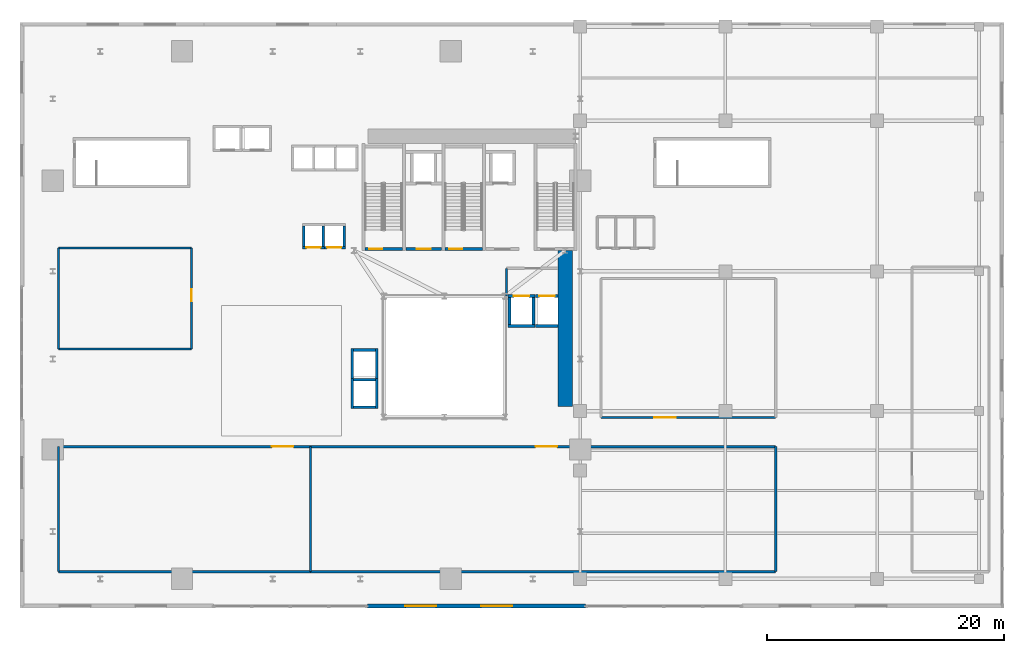
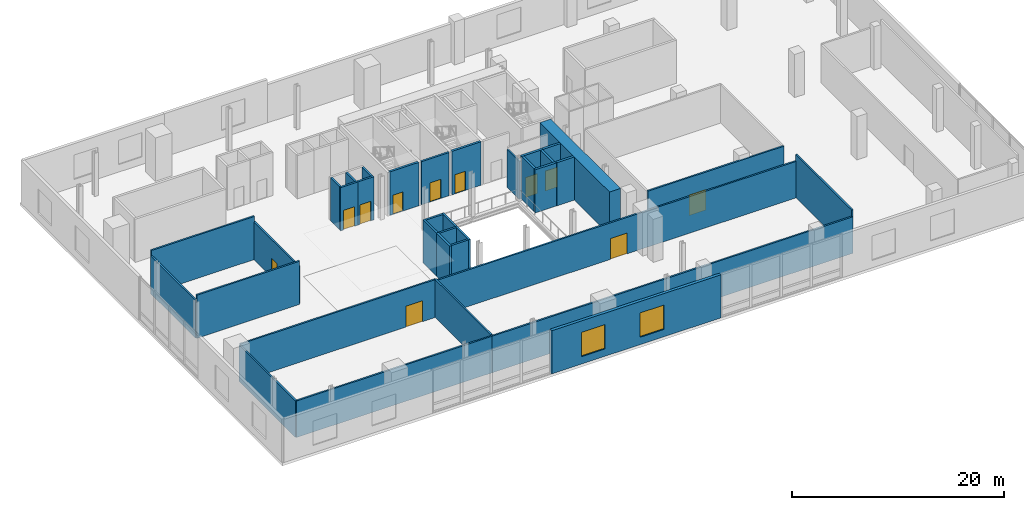
# One storey, part 7 of 13: 36 walls, 11 doors, 2 windows, 13 openings.
"""IFC4 building model written with IfcOpenShell, lengths in metres."""

from ifc_helpers import new_model, si_unit, direction, frame, frame_2d, origin, place, context, subcontext, project, spatial, rectangle, extrude, source, transform, mapped, material, layer, layer_set, type_object, element, fill, save


model = new_model("IFC4")

# Units and contexts
model_context = context("Model", 3, precision=1e-05, world=origin(), true_north=direction((0.0, 1.0)))
body_context = subcontext(model_context, "Body", "Model", "MODEL_VIEW")
ifc_project = project(units=[si_unit("LENGTHUNIT", "METRE"), si_unit("AREAUNIT", "SQUARE_METRE"), si_unit("VOLUMEUNIT", "CUBIC_METRE"), si_unit("PLANEANGLEUNIT", "RADIAN"), si_unit("MASSUNIT", "GRAM", prefix="KILO")], contexts=[model_context])

# Site, building, storey
site_placement = place(None, origin())
site = spatial("IfcSite", under=ifc_project, at=site_placement, CompositionType="ELEMENT")
building_placement = place(site_placement, origin())
building = spatial("IfcBuilding", under=site, at=building_placement, Name="Vardaveli Station Tower", CompositionType="ELEMENT")
storey_placement = place(building_placement, frame((0.0, 0.0, 22.39990234375)))
storey = spatial("IfcBuildingStorey", under=building, at=storey_placement, Name="L05", CompositionType="ELEMENT", Elevation=22.39990234375)

# Wall
ifc_material_1 = material(Name="Concrete C70/85", Category="concrete")
ifc_layer_1 = layer(ifc_material_1, 1.199951171875, Name="Concrete C70/85")
ifc_layer_set_1 = layer_set([ifc_layer_1], Name="Concrete C70/85")
wall_type_1 = type_object("IfcWallType", Name="WAL-CORE-1200", PredefinedType="SHEAR", material=ifc_layer_set_1)
shared_shape_1 = source(origin(), body_context, "Body", "SweptSolid", [
    extrude(rectangle(XDim=13.14990234375, YDim=1.199951171875, at=frame_2d((6.574951171875, 0.0))), origin(), (0.0, 0.0, 1.0), 4.960205078125),
])
wall_1_placement = place(storey_placement, frame((46.5, 17.5, 0.0), z_axis=(0.0, 0.0, 1.0), x_axis=(0.0, 1.0, 0.0)))
element("IfcWall", 1, at=wall_1_placement, inside=storey, type_object=wall_type_1, Name="SW-L05-EAST2", PredefinedType="SHEAR", context=body_context, shape_type="MappedRepresentation", body=[
    mapped(shared_shape_1, transform((0.0, 0.0, 0.0), scale=1.0)),
])

# Wall, openings, windows
ifc_material_2 = material(Name="Precast concrete C45/55", Category="concrete")
ifc_layer_2 = layer(ifc_material_2, 0.320068359375, Name="Precast concrete C45/55")
ifc_layer_set_2 = layer_set([ifc_layer_2], Name="Precast concrete C45/55")
wall_type_2 = type_object("IfcWallType", Name="WAL-EXT-STONE-320", PredefinedType="SOLIDWALL", material=ifc_layer_set_2)
shared_shape_2 = source(origin(), body_context, "Body", "SweptSolid", [
    extrude(rectangle(XDim=18.39990234375, YDim=0.320068359375, at=frame_2d((9.199951171875, 0.0))), origin(), (0.0, 0.0, 1.0), 4.960205078125),
])
wall_2_placement = place(storey_placement, frame((29.800048828125, 0.64990234375, 0.0), z_axis=(0.0, 0.0, 1.0), x_axis=(1.0, 0.0, 0.0)))
wall_2 = element("IfcWall", 2, at=wall_2_placement, inside=storey, type_object=wall_type_2, Name="EW-L05-S3", PredefinedType="SOLIDWALL", context=body_context, shape_type="MappedRepresentation", body=[
    mapped(shared_shape_2, transform((0.0, 0.0, 0.0), scale=1.0)),
])
shared_shape_3 = source(origin(), body_context, "Body", "SweptSolid", [
    extrude(rectangle(XDim=2.60009765625, YDim=2.800048828125, at=frame_2d((1.300048828125, 1.39990234375))), frame((0.0, 0.169921875, 0.0), z_axis=(0.0, -1.0, 0.0), x_axis=(1.0, 0.0, 0.0)), (0.0, 0.0, 1.0), 0.340087890625),
])
opening_1_placement = place(wall_2_placement, frame((3.199951171875, 0.0, 0.85009765625)))
opening_1 = element("IfcOpeningElement", 3, at=opening_1_placement, cuts=wall_2, Name="Opening W-02", PredefinedType="OPENING", context=body_context, shape_type="MappedRepresentation", body=[
    mapped(shared_shape_3, transform((0.0, 0.0, 0.0), scale=1.0)),
])
opening_2_placement = place(wall_2_placement, frame((9.60009765625, 0.0, 0.85009765625)))
opening_2 = element("IfcOpeningElement", 4, at=opening_2_placement, cuts=wall_2, Name="Opening W-02", PredefinedType="OPENING", context=body_context, shape_type="MappedRepresentation", body=[
    mapped(shared_shape_3, transform((0.0, 0.0, 0.0), scale=1.0)),
])
ifc_material_3 = material(Name="Low-E solar-control glass", Category="glass")
window_type = type_object("IfcWindowType", Name="WIN-POD-2600x2800", PartitioningType="SINGLE_PANEL", PredefinedType="WINDOW", material=ifc_material_3)
shared_shape_4 = source(origin(), body_context, "Body", "SweptSolid", [
    extrude(rectangle(XDim=2.60009765625, YDim=2.800048828125, at=frame_2d((1.300048828125, 1.39990234375))), frame((0.0, 0.030029296875, 0.0), z_axis=(0.0, -1.0, 0.0), x_axis=(1.0, 0.0, 0.0)), (0.0, 0.0, 1.0), 0.06005859375),
])
window_1_placement = place(opening_1_placement, origin())
window_1 = element("IfcWindow", 5, at=window_1_placement, inside=storey, type_object=window_type, Name="WN-L05-S3A", OverallHeight=2.800048828125, OverallWidth=2.60009765625, PartitioningType="SINGLE_PANEL", PredefinedType="WINDOW", context=body_context, shape_type="MappedRepresentation", body=[
    mapped(shared_shape_4, transform((0.0, 0.0, 0.0), scale=1.0)),
])
fill(opening_1, window_1)
window_2_placement = place(opening_2_placement, origin())
window_2 = element("IfcWindow", 6, at=window_2_placement, inside=storey, type_object=window_type, Name="WN-L05-S3B", OverallHeight=2.800048828125, OverallWidth=2.60009765625, PartitioningType="SINGLE_PANEL", PredefinedType="WINDOW", context=body_context, shape_type="MappedRepresentation", body=[
    mapped(shared_shape_4, transform((0.0, 0.0, 0.0), scale=1.0)),
])
fill(opening_2, window_2)

# Wall, opening, door
ifc_material_4 = material(Name="Concrete C40/50", Category="concrete")
ifc_layer_3 = layer(ifc_material_4, 0.25, Name="Concrete C40/50")
ifc_layer_set_3 = layer_set([ifc_layer_3], Name="Concrete C40/50")
wall_type_3 = type_object("IfcWallType", Name="WAL-SHAFT-250", PredefinedType="SOLIDWALL", material=ifc_layer_set_3)
shared_shape_5 = source(origin(), body_context, "Body", "SweptSolid", [
    extrude(rectangle(XDim=3.14990234375, YDim=0.25, at=frame_2d((1.574951171875, 0.0))), origin(), (0.0, 0.0, 1.0), 5.0),
])
wall_3_placement = place(storey_placement, frame((29.60009765625, 30.77490234375, 0.0), z_axis=(0.0, 0.0, 1.0), x_axis=(1.0, 0.0, 0.0)))
wall_3 = element("IfcWall", 7, at=wall_3_placement, inside=storey, type_object=wall_type_3, Name="W-L05-ST-1S", PredefinedType="SOLIDWALL", context=body_context, shape_type="MappedRepresentation", body=[
    mapped(shared_shape_5, transform((0.0, 0.0, 0.0), scale=1.0)),
])
shared_shape_6 = source(origin(), body_context, "Body", "SweptSolid", [
    extrude(rectangle(XDim=1.10009765625, YDim=2.199951171875, at=frame_2d((0.550048828125, 1.10009765625))), frame((0.0, 0.135009765625, 0.0), z_axis=(0.0, -1.0, 0.0), x_axis=(1.0, 0.0, 0.0)), (0.0, 0.0, 1.0), 0.27001953125),
])
opening_3_placement = place(wall_3_placement, frame((0.35009765625, 0.0, 0.0)))
opening_3 = element("IfcOpeningElement", 8, at=opening_3_placement, cuts=wall_3, Name="Opening D-04", PredefinedType="OPENING", context=body_context, shape_type="MappedRepresentation", body=[
    mapped(shared_shape_6, transform((0.0, 0.0, 0.0), scale=1.0)),
])
ifc_material_5 = material(Name="Steel smokeproof fire doorset", Category="steel")
door_type_1 = type_object("IfcDoorType", Name="DR-ST-1100x2200", OperationType="NOTDEFINED", PredefinedType="DOOR", material=ifc_material_5)
shared_shape_7 = source(origin(), body_context, "Body", "SweptSolid", [
    extrude(rectangle(XDim=1.10009765625, YDim=2.199951171875, at=frame_2d((0.550048828125, 1.10009765625))), frame((0.0, 0.02490234375, 0.0), z_axis=(0.0, -1.0, 0.0), x_axis=(1.0, 0.0, 0.0)), (0.0, 0.0, 1.0), 0.050048828125),
])
door_1_placement = place(opening_3_placement, origin())
door_1 = element("IfcDoor", 9, at=door_1_placement, inside=storey, type_object=door_type_1, Name="DST-1-L05", OperationType="SINGLE_SWING_LEFT", OverallHeight=2.199951171875, OverallWidth=1.10009765625, PredefinedType="DOOR", context=body_context, shape_type="MappedRepresentation", body=[
    mapped(shared_shape_7, transform((0.0, 0.0, 0.0), scale=1.0)),
])
fill(opening_3, door_1)

wall_4_placement = place(storey_placement, frame((36.35009765625, 30.77490234375, 0.0), z_axis=(0.0, 0.0, 1.0), x_axis=(1.0, 0.0, 0.0)))
wall_4 = element("IfcWall", 10, at=wall_4_placement, inside=storey, type_object=wall_type_3, Name="W-L05-ST-2S", PredefinedType="SOLIDWALL", context=body_context, shape_type="MappedRepresentation", body=[
    mapped(shared_shape_5, transform((0.0, 0.0, 0.0), scale=1.0)),
])
opening_4_placement = place(wall_4_placement, frame((0.35009765625, 0.0, 0.0)))
opening_4 = element("IfcOpeningElement", 11, at=opening_4_placement, cuts=wall_4, Name="Opening D-04", PredefinedType="OPENING", context=body_context, shape_type="MappedRepresentation", body=[
    mapped(shared_shape_6, transform((0.0, 0.0, 0.0), scale=1.0)),
])
door_2_placement = place(opening_4_placement, origin())
door_2 = element("IfcDoor", 12, at=door_2_placement, inside=storey, type_object=door_type_1, Name="DST-2-L05", OperationType="SINGLE_SWING_LEFT", OverallHeight=2.199951171875, OverallWidth=1.10009765625, PredefinedType="DOOR", context=body_context, shape_type="MappedRepresentation", body=[
    mapped(shared_shape_7, transform((0.0, 0.0, 0.0), scale=1.0)),
])
fill(opening_4, door_2)

ifc_layer_4 = layer(ifc_material_4, 0.219970703125, Name="Concrete C40/50")
ifc_layer_set_4 = layer_set([ifc_layer_4], Name="Concrete C40/50")
wall_type_4 = type_object("IfcWallType", Name="WAL-FFLOBBY-220", PredefinedType="SOLIDWALL", material=ifc_layer_set_4)
shared_shape_8 = source(origin(), body_context, "Body", "SweptSolid", [
    extrude(rectangle(XDim=3.0, YDim=0.219970703125, at=frame_2d((1.5, 0.0))), origin(), (0.0, 0.0, 1.0), 4.960205078125),
])
wall_5_placement = place(storey_placement, frame((33.050048828125, 30.780029296875, 0.0), z_axis=(0.0, 0.0, 1.0), x_axis=(1.0, 0.0, 0.0)))
wall_5 = element("IfcWall", 13, at=wall_5_placement, inside=storey, type_object=wall_type_4, Name="W-L05-FFL1S", PredefinedType="SOLIDWALL", context=body_context, shape_type="MappedRepresentation", body=[
    mapped(shared_shape_8, transform((0.0, 0.0, 0.0), scale=1.0)),
])
shared_shape_9 = source(origin(), body_context, "Body", "SweptSolid", [
    extrude(rectangle(XDim=1.199951171875, YDim=2.199951171875, at=frame_2d((0.60009765625, 1.10009765625))), frame((0.0, 0.1201171875, 0.0), z_axis=(0.0, -1.0, 0.0), x_axis=(1.0, 0.0, 0.0)), (0.0, 0.0, 1.0), 0.239990234375),
])
opening_5_placement = place(wall_5_placement, frame((0.89990234375, 0.0, 0.0)))
opening_5 = element("IfcOpeningElement", 14, at=opening_5_placement, cuts=wall_5, Name="Opening D-03", PredefinedType="OPENING", context=body_context, shape_type="MappedRepresentation", body=[
    mapped(shared_shape_9, transform((0.0, 0.0, 0.0), scale=1.0)),
])
door_type_2 = type_object("IfcDoorType", Name="DR-FFL-1200x2200", OperationType="NOTDEFINED", PredefinedType="DOOR", material=ifc_material_5)
shared_shape_10 = source(origin(), body_context, "Body", "SweptSolid", [
    extrude(rectangle(XDim=1.199951171875, YDim=2.199951171875, at=frame_2d((0.60009765625, 1.10009765625))), frame((0.0, 0.02490234375, 0.0), z_axis=(0.0, -1.0, 0.0), x_axis=(1.0, 0.0, 0.0)), (0.0, 0.0, 1.0), 0.050048828125),
])
door_3_placement = place(opening_5_placement, origin())
door_3 = element("IfcDoor", 15, at=door_3_placement, inside=storey, type_object=door_type_2, Name="DFFL1-L05", OperationType="SINGLE_SWING_LEFT", OverallHeight=2.199951171875, OverallWidth=1.199951171875, PredefinedType="DOOR", context=body_context, shape_type="MappedRepresentation", body=[
    mapped(shared_shape_10, transform((0.0, 0.0, 0.0), scale=1.0)),
])
fill(opening_5, door_3)

shared_shape_11 = source(origin(), body_context, "Body", "SweptSolid", [
    extrude(rectangle(XDim=1.89013671875, YDim=0.219970703125, at=frame_2d((0.945068359375, 0.0))), origin(), (0.0, 0.0, 1.0), 4.960205078125),
])
wall_6_placement = place(storey_placement, frame((24.304931640625, 30.889892578125, 0.0), z_axis=(0.0, 0.0, 1.0), x_axis=(1.0, 0.0, 0.0)))
wall_6 = element("IfcWall", 16, at=wall_6_placement, inside=storey, type_object=wall_type_4, Name="SHW-SHU-01-L05-S", PredefinedType="SOLIDWALL", context=body_context, shape_type="MappedRepresentation", body=[
    mapped(shared_shape_11, transform((0.0, 0.0, 0.0), scale=1.0)),
])
shared_shape_12 = source(origin(), body_context, "Body", "SweptSolid", [
    extrude(rectangle(XDim=1.199951171875, YDim=2.25, at=frame_2d((0.60009765625, 1.125))), frame((0.0, 0.1201171875, 0.0), z_axis=(0.0, -1.0, 0.0), x_axis=(1.0, 0.0, 0.0)), (0.0, 0.0, 1.0), 0.239990234375),
])
opening_6_placement = place(wall_6_placement, frame((0.344970703125, 0.0, 0.0)))
opening_6 = element("IfcOpeningElement", 17, at=opening_6_placement, cuts=wall_6, Name="Opening LD-02", PredefinedType="OPENING", context=body_context, shape_type="MappedRepresentation", body=[
    mapped(shared_shape_12, transform((0.0, 0.0, 0.0), scale=1.0)),
])
ifc_material_6 = material(Name="Brushed stainless steel", Category="steel")
door_type_3 = type_object("IfcDoorType", Name="DR-LD-1200x2250", OperationType="DOUBLE_DOOR_SLIDING", PredefinedType="DOOR", material=ifc_material_6)
shared_shape_13 = source(origin(), body_context, "Body", "SweptSolid", [
    extrude(rectangle(XDim=1.199951171875, YDim=2.25, at=frame_2d((0.60009765625, 1.125))), frame((0.0, 0.02490234375, 0.0), z_axis=(0.0, -1.0, 0.0), x_axis=(1.0, 0.0, 0.0)), (0.0, 0.0, 1.0), 0.050048828125),
])
door_4_placement = place(opening_6_placement, origin())
door_4 = element("IfcDoor", 18, at=door_4_placement, inside=storey, type_object=door_type_3, Name="LD-SHU-01-L05", OperationType="DOUBLE_DOOR_SLIDING", OverallHeight=2.25, OverallWidth=1.199951171875, PredefinedType="DOOR", context=body_context, shape_type="MappedRepresentation", body=[
    mapped(shared_shape_13, transform((0.0, 0.0, 0.0), scale=1.0)),
])
fill(opening_6, door_4)

wall_7_placement = place(storey_placement, frame((26.054931640625, 30.889892578125, 0.0), z_axis=(0.0, 0.0, 1.0), x_axis=(1.0, 0.0, 0.0)))
wall_7 = element("IfcWall", 19, at=wall_7_placement, inside=storey, type_object=wall_type_4, Name="SHW-SHU-02-L05-S", PredefinedType="SOLIDWALL", context=body_context, shape_type="MappedRepresentation", body=[
    mapped(shared_shape_11, transform((0.0, 0.0, 0.0), scale=1.0)),
])
opening_7_placement = place(wall_7_placement, frame((0.344970703125, 0.0, 0.0)))
opening_7 = element("IfcOpeningElement", 20, at=opening_7_placement, cuts=wall_7, Name="Opening LD-02", PredefinedType="OPENING", context=body_context, shape_type="MappedRepresentation", body=[
    mapped(shared_shape_12, transform((0.0, 0.0, 0.0), scale=1.0)),
])
door_5_placement = place(opening_7_placement, origin())
door_5 = element("IfcDoor", 21, at=door_5_placement, inside=storey, type_object=door_type_3, Name="LD-SHU-02-L05", OperationType="DOUBLE_DOOR_SLIDING", OverallHeight=2.25, OverallWidth=1.199951171875, PredefinedType="DOOR", context=body_context, shape_type="MappedRepresentation", body=[
    mapped(shared_shape_13, transform((0.0, 0.0, 0.0), scale=1.0)),
])
fill(opening_7, door_5)

# Walls
shared_shape_14 = source(origin(), body_context, "Body", "SweptSolid", [
    extrude(rectangle(XDim=1.699951171875, YDim=0.219970703125, at=frame_2d((0.85009765625, 0.0))), origin(), (0.0, 0.0, 1.0), 4.960205078125),
])
for number, where, z_axis, x_axis, name in (
    (22, (24.4150390625, 31.0, 0.0), (0.0, 0.0, 1.0), (0.0, 1.0, 0.0), "SHW-SHU-01-L05-W"),
    (23, (26.0849609375, 31.0, 0.0), (0.0, 0.0, 1.0), (0.0, 1.0, 0.0), "SHW-SHU-01-L05-E"),
    (24, (27.8349609375, 31.0, 0.0), (0.0, 0.0, 1.0), (0.0, 1.0, 0.0), "SHW-SHU-02-L05-E"),
):
    element("IfcWall", number, at=place(storey_placement, frame(where, z_axis=z_axis, x_axis=x_axis)), inside=storey, type_object=wall_type_4, Name=name, PredefinedType="SOLIDWALL", context=body_context, shape_type="MappedRepresentation", body=[
        mapped(shared_shape_14, transform((0.0, 0.0, 0.0), scale=1.0)),
    ])
shared_shape_15 = source(origin(), body_context, "Body", "SweptSolid", [
    extrude(rectangle(XDim=1.85009765625, YDim=0.219970703125, at=frame_2d((0.925048828125, 0.0))), origin(), (0.0, 0.0, 1.0), 4.960205078125),
])
for number, where, z_axis, x_axis, name in (
    (25, (28.625, 17.43994140625, 0.0), (0.0, 0.0, 1.0), (1.0, 0.0, 0.0), "SHW-OBS-01-L05-S"),
    (26, (28.625, 19.760009765625, 0.0), (0.0, 0.0, 1.0), (1.0, 0.0, 0.0), "SHW-OBS-01-L05-N"),
    (27, (28.625, 22.260009765625, 0.0), (0.0, 0.0, 1.0), (1.0, 0.0, 0.0), "SHW-OBS-02-L05-N"),
):
    element("IfcWall", number, at=place(storey_placement, frame(where, z_axis=z_axis, x_axis=x_axis)), inside=storey, type_object=wall_type_4, Name=name, PredefinedType="SOLIDWALL", context=body_context, shape_type="MappedRepresentation", body=[
        mapped(shared_shape_15, transform((0.0, 0.0, 0.0), scale=1.0)),
    ])
shared_shape_16 = source(origin(), body_context, "Body", "SweptSolid", [
    extrude(rectangle(XDim=2.5400390625, YDim=0.219970703125, at=frame_2d((1.27001953125, 0.0))), origin(), (0.0, 0.0, 1.0), 4.960205078125),
])
for number, where, z_axis, x_axis, name in (
    (28, (28.514892578125, 17.330078125, 0.0), (0.0, 0.0, 1.0), (0.0, 1.0, 0.0), "SHW-OBS-01-L05-W"),
    (29, (30.5849609375, 17.330078125, 0.0), (0.0, 0.0, 1.0), (0.0, 1.0, 0.0), "SHW-OBS-01-L05-E"),
    (30, (28.514892578125, 19.830078125, 0.0), (0.0, 0.0, 1.0), (0.0, 1.0, 0.0), "SHW-OBS-02-L05-W"),
    (31, (30.5849609375, 19.830078125, 0.0), (0.0, 0.0, 1.0), (0.0, 1.0, 0.0), "SHW-OBS-02-L05-E"),
):
    element("IfcWall", number, at=place(storey_placement, frame(where, z_axis=z_axis, x_axis=x_axis)), inside=storey, type_object=wall_type_4, Name=name, PredefinedType="SOLIDWALL", context=body_context, shape_type="MappedRepresentation", body=[
        mapped(shared_shape_16, transform((0.0, 0.0, 0.0), scale=1.0)),
    ])
shared_shape_17 = source(origin(), body_context, "Body", "SweptSolid", [
    extrude(rectangle(XDim=2.300048828125, YDim=0.25, at=frame_2d((1.14990234375, 0.0))), origin(), (0.0, 0.0, 1.0), 4.960205078125),
])
wall_8_placement = place(storey_placement, frame((41.64990234375, 24.27490234375, 0.0), z_axis=(0.0, 0.0, 1.0), x_axis=(1.0, 0.0, 0.0)))
element("IfcWall", 32, at=wall_8_placement, inside=storey, type_object=wall_type_3, Name="SHW-SRV-01-L05-S", PredefinedType="SOLIDWALL", context=body_context, shape_type="MappedRepresentation", body=[
    mapped(shared_shape_17, transform((0.0, 0.0, 0.0), scale=1.0)),
])

# Wall, opening, door
wall_9_placement = place(storey_placement, frame((41.64990234375, 26.824951171875, 0.0), z_axis=(0.0, 0.0, 1.0), x_axis=(1.0, 0.0, 0.0)))
wall_9 = element("IfcWall", 33, at=wall_9_placement, inside=storey, type_object=wall_type_3, Name="SHW-SRV-01-L05-N", PredefinedType="SOLIDWALL", context=body_context, shape_type="MappedRepresentation", body=[
    mapped(shared_shape_17, transform((0.0, 0.0, 0.0), scale=1.0)),
])
shared_shape_18 = source(origin(), body_context, "Body", "SweptSolid", [
    extrude(rectangle(XDim=1.300048828125, YDim=2.300048828125, at=frame_2d((0.64990234375, 1.14990234375))), frame((0.0, 0.135009765625, 0.0), z_axis=(0.0, -1.0, 0.0), x_axis=(1.0, 0.0, 0.0)), (0.0, 0.0, 1.0), 0.27001953125),
])
opening_8_placement = place(wall_9_placement, frame((0.5, 0.0, 0.0)))
opening_8 = element("IfcOpeningElement", 34, at=opening_8_placement, cuts=wall_9, Name="Opening LD-03", PredefinedType="OPENING", context=body_context, shape_type="MappedRepresentation", body=[
    mapped(shared_shape_18, transform((0.0, 0.0, 0.0), scale=1.0)),
])
door_type_4 = type_object("IfcDoorType", Name="DR-LD-1300x2300", OperationType="DOUBLE_DOOR_SLIDING", PredefinedType="DOOR", material=ifc_material_6)
shared_shape_19 = source(origin(), body_context, "Body", "SweptSolid", [
    extrude(rectangle(XDim=1.300048828125, YDim=2.300048828125, at=frame_2d((0.64990234375, 1.14990234375))), frame((0.0, 0.02490234375, 0.0), z_axis=(0.0, -1.0, 0.0), x_axis=(1.0, 0.0, 0.0)), (0.0, 0.0, 1.0), 0.050048828125),
])
door_6_placement = place(opening_8_placement, origin())
door_6 = element("IfcDoor", 35, at=door_6_placement, inside=storey, type_object=door_type_4, Name="LD-SRV-01-L05", OperationType="DOUBLE_DOOR_SLIDING", OverallHeight=2.300048828125, OverallWidth=1.300048828125, PredefinedType="DOOR", context=body_context, shape_type="MappedRepresentation", body=[
    mapped(shared_shape_19, transform((0.0, 0.0, 0.0), scale=1.0)),
])
fill(opening_8, door_6)

# Walls
for number, where, z_axis, x_axis, name in (
    (36, (41.77490234375, 24.39990234375, 0.0), (0.0, 0.0, 1.0), (0.0, 1.0, 0.0), "SHW-SRV-01-L05-W"),
    (37, (43.824951171875, 24.39990234375, 0.0), (0.0, 0.0, 1.0), (0.0, 1.0, 0.0), "SHW-SRV-01-L05-E"),
):
    element("IfcWall", number, at=place(storey_placement, frame(where, z_axis=z_axis, x_axis=x_axis)), inside=storey, type_object=wall_type_3, Name=name, PredefinedType="SOLIDWALL", context=body_context, shape_type="MappedRepresentation", body=[
        mapped(shared_shape_17, transform((0.0, 0.0, 0.0), scale=1.0)),
    ])
shared_shape_20 = source(origin(), body_context, "Body", "SweptSolid", [
    extrude(rectangle(XDim=1.89990234375, YDim=0.25, at=frame_2d((0.949951171875, 0.0))), origin(), (0.0, 0.0, 1.0), 4.960205078125),
])
wall_10_placement = place(storey_placement, frame((44.0, 24.27490234375, 0.0), z_axis=(0.0, 0.0, 1.0), x_axis=(1.0, 0.0, 0.0)))
element("IfcWall", 38, at=wall_10_placement, inside=storey, type_object=wall_type_3, Name="SHW-SRV-02-L05-S", PredefinedType="SOLIDWALL", context=body_context, shape_type="MappedRepresentation", body=[
    mapped(shared_shape_20, transform((0.0, 0.0, 0.0), scale=1.0)),
])

# Wall, opening, door
wall_11_placement = place(storey_placement, frame((44.0, 26.824951171875, 0.0), z_axis=(0.0, 0.0, 1.0), x_axis=(1.0, 0.0, 0.0)))
wall_11 = element("IfcWall", 39, at=wall_11_placement, inside=storey, type_object=wall_type_3, Name="SHW-SRV-02-L05-N", PredefinedType="SOLIDWALL", context=body_context, shape_type="MappedRepresentation", body=[
    mapped(shared_shape_20, transform((0.0, 0.0, 0.0), scale=1.0)),
])
opening_9_placement = place(wall_11_placement, frame((0.300048828125, 0.0, 0.0)))
opening_9 = element("IfcOpeningElement", 40, at=opening_9_placement, cuts=wall_11, Name="Opening LD-03", PredefinedType="OPENING", context=body_context, shape_type="MappedRepresentation", body=[
    mapped(shared_shape_18, transform((0.0, 0.0, 0.0), scale=1.0)),
])
door_7_placement = place(opening_9_placement, origin())
door_7 = element("IfcDoor", 41, at=door_7_placement, inside=storey, type_object=door_type_4, Name="LD-SRV-02-L05", OperationType="DOUBLE_DOOR_SLIDING", OverallHeight=2.300048828125, OverallWidth=1.300048828125, PredefinedType="DOOR", context=body_context, shape_type="MappedRepresentation", body=[
    mapped(shared_shape_19, transform((0.0, 0.0, 0.0), scale=1.0)),
])
fill(opening_9, door_7)

ifc_material_7 = material(Name="Fire-rated gypsum stud partition")
ifc_layer_5 = layer(ifc_material_7, 0.179931640625, Name="Fire-rated gypsum stud partition")
ifc_layer_set_5 = layer_set([ifc_layer_5], Name="Fire-rated gypsum stud partition")
wall_type_5 = type_object("IfcWallType", Name="WAL-CORR-180", PredefinedType="PARTITIONING", material=ifc_layer_set_5)
shared_shape_21 = source(origin(), body_context, "Body", "SweptSolid", [
    extrude(rectangle(XDim=39.25, YDim=0.179931640625, at=frame_2d((19.625, 0.0))), origin(), (0.0, 0.0, 1.0), 4.2021484375),
])
wall_12_placement = place(storey_placement, frame((25.0, 14.10009765625, 0.0), z_axis=(0.0, 0.0, 1.0), x_axis=(1.0, 0.0, 0.0)))
wall_12 = element("IfcWall", 42, at=wall_12_placement, inside=storey, type_object=wall_type_5, Name="W-L05-MN2-N", PredefinedType="PARTITIONING", context=body_context, shape_type="MappedRepresentation", body=[
    mapped(shared_shape_21, transform((0.0, 0.0, 0.0), scale=1.0)),
])
shared_shape_22 = source(origin(), body_context, "Body", "SweptSolid", [
    extrude(rectangle(XDim=1.800048828125, YDim=2.39990234375, at=frame_2d((0.89990234375, 1.199951171875))), frame((0.0, 0.10009765625, 0.0), z_axis=(0.0, -1.0, 0.0), x_axis=(1.0, 0.0, 0.0)), (0.0, 0.0, 1.0), 0.199951171875),
])
opening_10_placement = place(wall_12_placement, frame((19.0, 0.0, 0.0)))
opening_10 = element("IfcOpeningElement", 43, at=opening_10_placement, cuts=wall_12, Name="Opening D-01", PredefinedType="OPENING", context=body_context, shape_type="MappedRepresentation", body=[
    mapped(shared_shape_22, transform((0.0, 0.0, 0.0), scale=1.0)),
])
ifc_material_8 = material(Name="Acoustic hardwood fire doorset", Category="wood")
door_type_5 = type_object("IfcDoorType", Name="DR-BALL-1800x2400", OperationType="DOUBLE_DOOR_SINGLE_SWING", PredefinedType="DOOR", material=ifc_material_8)
shared_shape_23 = source(origin(), body_context, "Body", "SweptSolid", [
    extrude(rectangle(XDim=1.800048828125, YDim=2.39990234375, at=frame_2d((0.89990234375, 1.199951171875))), frame((0.0, 0.02490234375, 0.0), z_axis=(0.0, -1.0, 0.0), x_axis=(1.0, 0.0, 0.0)), (0.0, 0.0, 1.0), 0.050048828125),
])
door_8_placement = place(opening_10_placement, origin())
door_8 = element("IfcDoor", 44, at=door_8_placement, inside=storey, type_object=door_type_5, Name="D-L05-2", OperationType="DOUBLE_DOOR_SINGLE_SWING", OverallHeight=2.39990234375, OverallWidth=1.800048828125, PredefinedType="DOOR", context=body_context, shape_type="MappedRepresentation", body=[
    mapped(shared_shape_23, transform((0.0, 0.0, 0.0), scale=1.0)),
])
fill(opening_10, door_8)

# Wall
wall_13_placement = place(storey_placement, frame((25.0, 3.550048828125, 0.0), z_axis=(0.0, 0.0, 1.0), x_axis=(1.0, 0.0, 0.0)))
element("IfcWall", 45, at=wall_13_placement, inside=storey, type_object=wall_type_5, Name="W-L05-MN2-S", PredefinedType="PARTITIONING", context=body_context, shape_type="MappedRepresentation", body=[
    mapped(shared_shape_21, transform((0.0, 0.0, 0.0), scale=1.0)),
])

# Wall, opening, door
shared_shape_24 = source(origin(), body_context, "Body", "SweptSolid", [
    extrude(rectangle(XDim=21.25, YDim=0.179931640625, at=frame_2d((10.625, 0.0))), origin(), (0.0, 0.0, 1.0), 4.35205078125),
])
wall_14_placement = place(storey_placement, frame((3.75, 14.10009765625, 0.0), z_axis=(0.0, 0.0, 1.0), x_axis=(1.0, 0.0, 0.0)))
wall_14 = element("IfcWall", 46, at=wall_14_placement, inside=storey, type_object=wall_type_5, Name="W-L05-MN1-N", PredefinedType="PARTITIONING", context=body_context, shape_type="MappedRepresentation", body=[
    mapped(shared_shape_24, transform((0.0, 0.0, 0.0), scale=1.0)),
])
opening_11_placement = place(wall_14_placement, frame((18.0, 0.0, 0.0)))
opening_11 = element("IfcOpeningElement", 47, at=opening_11_placement, cuts=wall_14, Name="Opening D-01", PredefinedType="OPENING", context=body_context, shape_type="MappedRepresentation", body=[
    mapped(shared_shape_22, transform((0.0, 0.0, 0.0), scale=1.0)),
])
door_9_placement = place(opening_11_placement, origin())
door_9 = element("IfcDoor", 48, at=door_9_placement, inside=storey, type_object=door_type_5, Name="D-L05-1", OperationType="DOUBLE_DOOR_SINGLE_SWING", OverallHeight=2.39990234375, OverallWidth=1.800048828125, PredefinedType="DOOR", context=body_context, shape_type="MappedRepresentation", body=[
    mapped(shared_shape_23, transform((0.0, 0.0, 0.0), scale=1.0)),
])
fill(opening_11, door_9)

shared_shape_25 = source(origin(), body_context, "Body", "SweptSolid", [
    extrude(rectangle(XDim=14.75, YDim=0.179931640625, at=frame_2d((7.375, 0.0))), origin(), (0.0, 0.0, 1.0), 4.43212890625),
])
wall_15_placement = place(storey_placement, frame((49.5, 16.550048828125, 0.0), z_axis=(0.0, 0.0, 1.0), x_axis=(1.0, 0.0, 0.0)))
wall_15 = element("IfcWall", 49, at=wall_15_placement, inside=storey, type_object=wall_type_5, Name="W-L05-MN3-S", PredefinedType="PARTITIONING", context=body_context, shape_type="MappedRepresentation", body=[
    mapped(shared_shape_25, transform((0.0, 0.0, 0.0), scale=1.0)),
])
opening_12_placement = place(wall_15_placement, frame((4.5, 0.0, 0.0)))
opening_12 = element("IfcOpeningElement", 50, at=opening_12_placement, cuts=wall_15, Name="Opening D-01", PredefinedType="OPENING", context=body_context, shape_type="MappedRepresentation", body=[
    mapped(shared_shape_22, transform((0.0, 0.0, 0.0), scale=1.0)),
])
door_10_placement = place(opening_12_placement, origin())
door_10 = element("IfcDoor", 51, at=door_10_placement, inside=storey, type_object=door_type_5, Name="D-L05-3", OperationType="DOUBLE_DOOR_SINGLE_SWING", OverallHeight=2.39990234375, OverallWidth=1.800048828125, PredefinedType="DOOR", context=body_context, shape_type="MappedRepresentation", body=[
    mapped(shared_shape_23, transform((0.0, 0.0, 0.0), scale=1.0)),
])
fill(opening_12, door_10)

shared_shape_26 = source(origin(), body_context, "Body", "SweptSolid", [
    extrude(rectangle(XDim=8.5, YDim=0.179931640625, at=frame_2d((4.25, 0.0))), origin(), (0.0, 0.0, 1.0), 4.35205078125),
])
wall_16_placement = place(storey_placement, frame((14.949951171875, 22.35009765625, 0.0), z_axis=(0.0, 0.0, 1.0), x_axis=(0.0, 1.0, 0.0)))
wall_16 = element("IfcWall", 52, at=wall_16_placement, inside=storey, type_object=wall_type_5, Name="W-L05-MN4-E", PredefinedType="PARTITIONING", context=body_context, shape_type="MappedRepresentation", body=[
    mapped(shared_shape_26, transform((0.0, 0.0, 0.0), scale=1.0)),
])
shared_shape_27 = source(origin(), body_context, "Body", "SweptSolid", [
    extrude(rectangle(XDim=1.050048828125, YDim=2.199951171875, at=frame_2d((0.52490234375, 1.10009765625))), frame((0.0, 0.10009765625, 0.0), z_axis=(0.0, -1.0, 0.0), x_axis=(1.0, 0.0, 0.0)), (0.0, 0.0, 1.0), 0.199951171875),
])
opening_13_placement = place(wall_16_placement, frame((4.0, 0.0, 0.0)))
opening_13 = element("IfcOpeningElement", 53, at=opening_13_placement, cuts=wall_16, Name="Opening D-05", PredefinedType="OPENING", context=body_context, shape_type="MappedRepresentation", body=[
    mapped(shared_shape_27, transform((0.0, 0.0, 0.0), scale=1.0)),
])
ifc_material_9 = material(Name="Walnut veneer acoustic fire door")
door_type_6 = type_object("IfcDoorType", Name="DR-SUITE-1050x2200", OperationType="NOTDEFINED", PredefinedType="DOOR", material=ifc_material_9)
shared_shape_28 = source(origin(), body_context, "Body", "SweptSolid", [
    extrude(rectangle(XDim=1.050048828125, YDim=2.199951171875, at=frame_2d((0.52490234375, 1.10009765625))), frame((0.0, 0.02490234375, 0.0), z_axis=(0.0, -1.0, 0.0), x_axis=(1.0, 0.0, 0.0)), (0.0, 0.0, 1.0), 0.050048828125),
])
door_11_placement = place(opening_13_placement, origin())
door_11 = element("IfcDoor", 54, at=door_11_placement, inside=storey, type_object=door_type_6, Name="D-L05-4", OperationType="SINGLE_SWING_LEFT", OverallHeight=2.199951171875, OverallWidth=1.050048828125, PredefinedType="DOOR", context=body_context, shape_type="MappedRepresentation", body=[
    mapped(shared_shape_28, transform((0.0, 0.0, 0.0), scale=1.0)),
])
fill(opening_13, door_11)

# Walls
wall_17_placement = place(storey_placement, frame((3.75, 22.35009765625, 0.0), z_axis=(0.0, 0.0, 1.0), x_axis=(0.0, 1.0, 0.0)))
element("IfcWall", 55, at=wall_17_placement, inside=storey, type_object=wall_type_5, Name="W-L05-MN4-W", PredefinedType="PARTITIONING", context=body_context, shape_type="MappedRepresentation", body=[
    mapped(shared_shape_26, transform((0.0, 0.0, 0.0), scale=1.0)),
])
shared_shape_29 = source(origin(), body_context, "Body", "SweptSolid", [
    extrude(rectangle(XDim=21.25, YDim=0.179931640625, at=frame_2d((10.625, 0.0))), origin(), (0.0, 0.0, 1.0), 4.2021484375),
])
wall_18_placement = place(storey_placement, frame((3.75, 3.550048828125, 0.0), z_axis=(0.0, 0.0, 1.0), x_axis=(1.0, 0.0, 0.0)))
element("IfcWall", 56, at=wall_18_placement, inside=storey, type_object=wall_type_5, Name="W-L05-MN1-S", PredefinedType="PARTITIONING", context=body_context, shape_type="MappedRepresentation", body=[
    mapped(shared_shape_29, transform((0.0, 0.0, 0.0), scale=1.0)),
])
shared_shape_30 = source(origin(), body_context, "Body", "SweptSolid", [
    extrude(rectangle(XDim=11.199951171875, YDim=0.179931640625, at=frame_2d((5.60009765625, 0.0))), origin(), (0.0, 0.0, 1.0), 4.960205078125),
])
for number, where, z_axis, x_axis, name in (
    (57, (3.75, 22.35009765625, 0.0), (0.0, 0.0, 1.0), (1.0, 0.0, 0.0), "W-L05-MN4-S"),
    (58, (3.75, 30.85009765625, 0.0), (0.0, 0.0, 1.0), (1.0, 0.0, 0.0), "W-L05-MN4-N"),
):
    element("IfcWall", number, at=place(storey_placement, frame(where, z_axis=z_axis, x_axis=x_axis)), inside=storey, type_object=wall_type_5, Name=name, PredefinedType="PARTITIONING", context=body_context, shape_type="MappedRepresentation", body=[
        mapped(shared_shape_30, transform((0.0, 0.0, 0.0), scale=1.0)),
    ])
shared_shape_31 = source(origin(), body_context, "Body", "SweptSolid", [
    extrude(rectangle(XDim=10.550048828125, YDim=0.179931640625, at=frame_2d((5.27490234375, 0.0))), origin(), (0.0, 0.0, 1.0), 4.2021484375),
])
wall_19_placement = place(storey_placement, frame((3.75, 3.550048828125, 0.0), z_axis=(0.0, 0.0, 1.0), x_axis=(0.0, 1.0, 0.0)))
element("IfcWall", 59, at=wall_19_placement, inside=storey, type_object=wall_type_5, Name="W-L05-MN1-W", PredefinedType="PARTITIONING", context=body_context, shape_type="MappedRepresentation", body=[
    mapped(shared_shape_31, transform((0.0, 0.0, 0.0), scale=1.0)),
])
shared_shape_32 = source(origin(), body_context, "Body", "SweptSolid", [
    extrude(rectangle(XDim=10.550048828125, YDim=0.179931640625, at=frame_2d((5.27490234375, 0.0))), origin(), (0.0, 0.0, 1.0), 4.35205078125),
])
wall_20_placement = place(storey_placement, frame((25.0, 3.550048828125, 0.0), z_axis=(0.0, 0.0, 1.0), x_axis=(0.0, 1.0, 0.0)))
element("IfcWall", 60, at=wall_20_placement, inside=storey, type_object=wall_type_5, Name="W-L05-MN1-E", PredefinedType="PARTITIONING", context=body_context, shape_type="MappedRepresentation", body=[
    mapped(shared_shape_32, transform((0.0, 0.0, 0.0), scale=1.0)),
])
shared_shape_33 = source(origin(), body_context, "Body", "SweptSolid", [
    extrude(rectangle(XDim=10.550048828125, YDim=0.179931640625, at=frame_2d((5.27490234375, 0.0))), origin(), (0.0, 0.0, 1.0), 4.960205078125),
])
wall_21_placement = place(storey_placement, frame((64.25, 3.550048828125, 0.0), z_axis=(0.0, 0.0, 1.0), x_axis=(0.0, 1.0, 0.0)))
element("IfcWall", 61, at=wall_21_placement, inside=storey, type_object=wall_type_5, Name="W-L05-MN2-E", PredefinedType="PARTITIONING", context=body_context, shape_type="MappedRepresentation", body=[
    mapped(shared_shape_33, transform((0.0, 0.0, 0.0), scale=1.0)),
])
shared_shape_34 = source(origin(), body_context, "Body", "SweptSolid", [
    extrude(rectangle(XDim=2.349853515625, YDim=0.179931640625, at=frame_2d((1.1748046875, 0.0))), origin(), (0.0, 0.0, 1.0), 4.35205078125),
])
wall_22_placement = place(storey_placement, frame((41.550048828125, 26.800048828125, 0.0), z_axis=(0.0, 0.0, 1.0), x_axis=(0.0, 1.0, 0.0)))
element("IfcWall", 62, at=wall_22_placement, inside=storey, type_object=wall_type_5, Name="W-L05-SVFW", PredefinedType="PARTITIONING", context=body_context, shape_type="MappedRepresentation", body=[
    mapped(shared_shape_34, transform((0.0, 0.0, 0.0), scale=1.0)),
])

save(model, "model.ifc")
